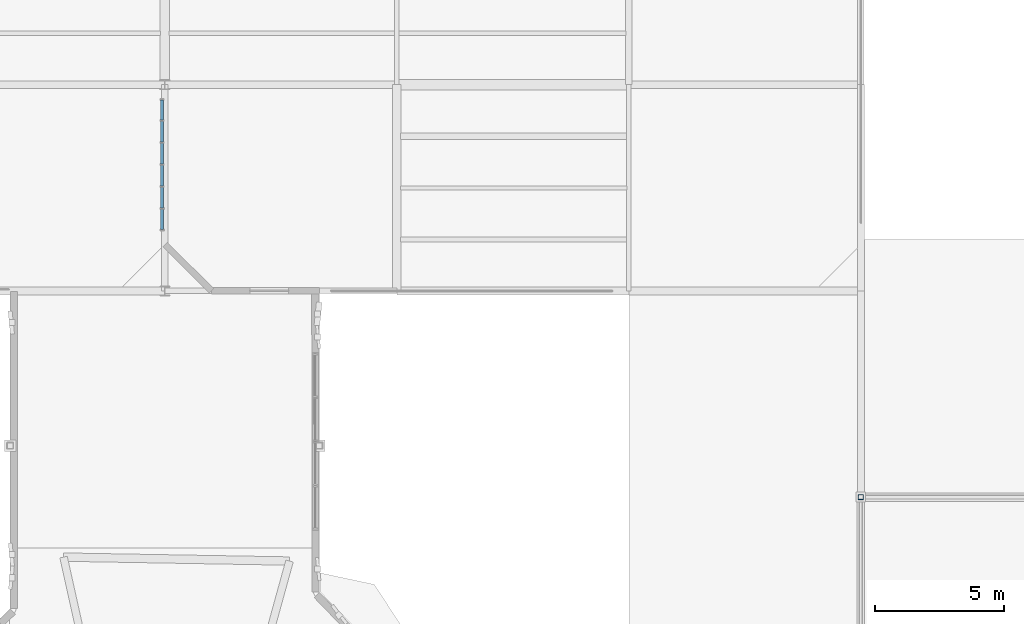
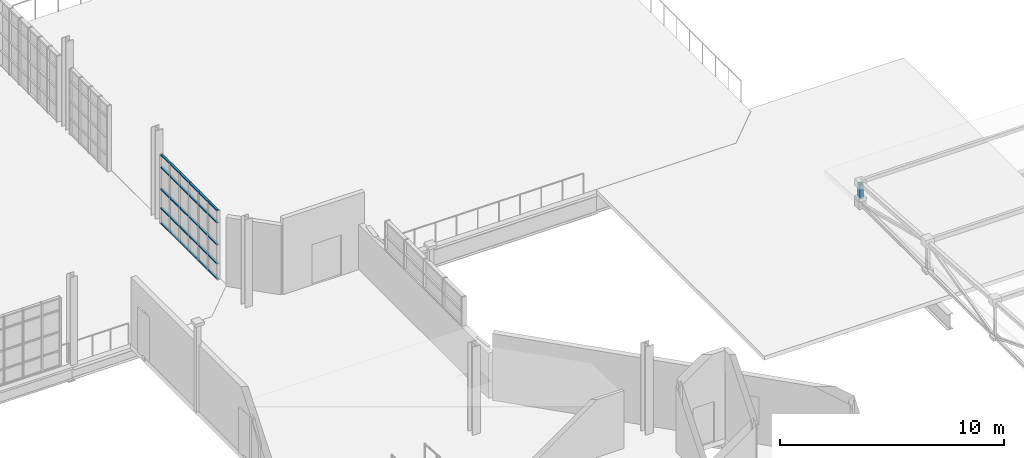
# One storey, part 61 of 85: 31 members, 1 element without a shape of its own.
"""IFC4 building model written with IfcOpenShell, lengths in metres."""

import ifcopenshell
import ifcopenshell.guid

model = None  # the IFC model being written
_history = None  # IfcOwnerHistory: only IFC2X3 demands one
_inside = {}  # id of a spatial element -> (the spatial element, [elements in it])
_under = {}  # id of a project, library or spatial element -> (it, [spatial elements below it])
_declared = {}  # id of a project -> (the project, [libraries it declares])
_typed = {}  # id of a type object -> (the type object, [elements of that type])
_made_of = {}  # id of a material, layer set ... -> (it, [elements and type objects made of it])


def new_model(schema):
    """Start an empty IFC model of exactly this schema.

    Asked for "IFC4X3", IfcOpenShell would pick the latest addendum, in which some entities
    have other attributes; the version numbers below select the first issue.
    IFC2X3 requires an IfcOwnerHistory on every rooted entity: one is made here for all.
    """
    global model, _history
    if schema == "IFC4X3":
        model = ifcopenshell.file(schema_version=(4, 3, 0, 0))
    else:
        model = ifcopenshell.file(schema=schema)
    _inside.clear()
    _under.clear()
    _declared.clear()
    _typed.clear()
    _made_of.clear()
    _history = None
    if model.schema == "IFC2X3":
        org = make("IfcOrganization", Name="unknown")
        user = make(
            "IfcPersonAndOrganization",
            ThePerson=make("IfcPerson", FamilyName="unknown"),
            TheOrganization=org,
        )
        app = make(
            "IfcApplication",
            ApplicationDeveloper=org,
            Version="unknown",
            ApplicationFullName="unknown",
            ApplicationIdentifier="unknown",
        )
        _history = make(
            "IfcOwnerHistory",
            OwningUser=user,
            OwningApplication=app,
            ChangeAction="ADDED",
            CreationDate=0,
        )
    return model


def make(cls, **values):
    """One entity of the class cls with the attributes given. An attribute that is None is left unset."""
    return model.create_entity(
        cls, **{name: value for name, value in values.items() if value is not None}
    )


def rooted(cls, **values):
    """An entity with a GlobalId (a new one), such as an element, a storey or a relation."""
    return make(cls, GlobalId=ifcopenshell.guid.new(), OwnerHistory=_history, **values)


def si_unit(unit_type, name, prefix=None):
    """IfcSIUnit, for example si_unit("LENGTHUNIT", "METRE", prefix="MILLI")."""
    return make("IfcSIUnit", UnitType=unit_type, Prefix=prefix, Name=name)


def assignment(units):
    """IfcUnitAssignment: the units of a project."""
    return None if units is None else make("IfcUnitAssignment", Units=units)


def point(xyz):
    """IfcCartesianPoint."""
    return None if xyz is None else make("IfcCartesianPoint", Coordinates=xyz)


def direction(xyz):
    """IfcDirection."""
    return None if xyz is None else make("IfcDirection", DirectionRatios=xyz)


def frame(location, z_axis=None, x_axis=None):
    """IfcAxis2Placement3D, a coordinate frame: its origin and axes. An axis left out is left unset."""
    return make(
        "IfcAxis2Placement3D",
        Location=point(location),
        Axis=direction(z_axis),
        RefDirection=direction(x_axis),
    )


def frame_2d(location, x_axis=None):
    """IfcAxis2Placement2D, a coordinate frame in the plane: its origin and x axis."""
    return make(
        "IfcAxis2Placement2D", Location=point(location), RefDirection=direction(x_axis)
    )


def origin():
    """The frame at (0, 0, 0) with its axes left unset."""
    return frame((0.0, 0.0, 0.0))


def origin_2d():
    """The frame at (0, 0) in the plane with its x axis left unset."""
    return frame_2d((0.0, 0.0))


def place(relative_to, where):
    """IfcLocalPlacement: puts the frame where relative to a parent placement (None: the world)."""
    return make(
        "IfcLocalPlacement", PlacementRelTo=relative_to, RelativePlacement=where
    )


def context(
    kind, dimensions, precision=None, world=None, true_north=None, identifier=None
):
    """IfcGeometricRepresentationContext, for example the 3D "Model" context."""
    return make(
        "IfcGeometricRepresentationContext",
        ContextIdentifier=identifier,
        ContextType=kind,
        CoordinateSpaceDimension=dimensions,
        Precision=precision,
        WorldCoordinateSystem=world,
        TrueNorth=true_north,
    )


def subcontext(parent, identifier, kind, view, scale=None):
    """IfcGeometricRepresentationSubContext, for example "Body" below "Model"."""
    return make(
        "IfcGeometricRepresentationSubContext",
        ContextIdentifier=identifier,
        ContextType=kind,
        ParentContext=parent,
        TargetScale=scale,
        TargetView=view,
    )


def project(units=None, contexts=None):
    """IfcProject with its units and contexts."""
    return rooted(
        "IfcProject",
        Name="project",
        RepresentationContexts=contexts,
        UnitsInContext=assignment(units),
    )


def spatial(cls, under=None, at=None, **own):
    """A site, building, storey or space (cls), placed at a placement, below another one or the project."""
    s = rooted(cls, ObjectPlacement=at, **own)
    if under is not None:
        _under.setdefault(under.id(), (under, []))[1].append(s)
    return s


def profile(cls, at=None, kind="AREA", **sizes):
    """A parametric profile (cls). Its sizes go by their IFC names, for example OverallWidth=200.0."""
    return make(cls, ProfileType=kind, Position=at, **sizes)


def hollow_rectangle(**sizes):
    """IfcRectangleHollowProfileDef."""
    return profile("IfcRectangleHollowProfileDef", **sizes)


def extrude(swept, where, along, depth):
    """IfcExtrudedAreaSolid: the profile swept, set in the frame where, extruded along a direction by depth."""
    return make(
        "IfcExtrudedAreaSolid",
        SweptArea=swept,
        Position=where,
        ExtrudedDirection=direction(along),
        Depth=depth,
    )


def shape(context_of_items, identifier, shape_type, items):
    """IfcShapeRepresentation: the items that make up one representation, for example the "Body"."""
    return make(
        "IfcShapeRepresentation",
        ContextOfItems=context_of_items,
        RepresentationIdentifier=identifier,
        RepresentationType=shape_type,
        Items=items,
    )


def material(Name=None, Category=None):
    """IfcMaterial."""
    return make("IfcMaterial", Name=Name, Category=Category)


def layer(
    of_material, thickness, ventilated=None, Name=None, Category=None, Priority=None
):
    """IfcMaterialLayer: one layer of a wall or slab, of a material (None: an air gap)."""
    return make(
        "IfcMaterialLayer",
        Material=of_material,
        LayerThickness=thickness,
        IsVentilated=ventilated,
        Name=Name,
        Category=Category,
        Priority=Priority,
    )


def layer_set(layers, Name=None):
    """IfcMaterialLayerSet."""
    return make("IfcMaterialLayerSet", MaterialLayers=layers, LayerSetName=Name)


def material_profile(
    of_material, cross_section, Name=None, Category=None, Priority=None
):
    """IfcMaterialProfile: a cross section and its material."""
    return make(
        "IfcMaterialProfile",
        Name=Name,
        Material=of_material,
        Profile=cross_section,
        Priority=Priority,
        Category=Category,
    )


def profile_set(profiles, Name=None, composite=None):
    """IfcMaterialProfileSet."""
    return make(
        "IfcMaterialProfileSet",
        Name=Name,
        MaterialProfiles=profiles,
        CompositeProfile=composite,
    )


def made_of(thing, what):
    """Note that an element or type object is made of a material, layer set ...; save() writes the relation."""
    if what is not None:
        _made_of.setdefault(what.id(), (what, []))[1].append(thing)
    return thing


def type_object(cls, material=None, **own):
    """A type object (cls), such as IfcWallType, which elements share."""
    return made_of(rooted(cls, **own), material)


def element(
    cls,
    number,
    at=None,
    inside=None,
    cuts=None,
    type_object=None,
    material=None,
    context=None,
    identifier="Body",
    shape_type=None,
    held_by="IfcProductDefinitionShape",
    body=None,
    shapes=None,
    **own,
):
    """One element of the class cls, such as IfcWall. Its Tag is "e" and its number.

    at: its placement. inside: the storey or other place that contains it. cuts: it is an
    opening in that element (IfcRelVoidsElement). A single representation is given by context,
    identifier, shape_type and body (its items); several are given by shapes. held_by: the class
    of the entity that holds the representations. save() writes the other relations.
    """
    e = rooted(cls, Tag="e%d" % number, ObjectPlacement=at, **own)
    if body is not None:
        shapes = [shape(context, identifier, shape_type, body)]
    if shapes is not None:
        e.Representation = make(held_by, Representations=shapes)
    if inside is not None:
        _inside.setdefault(inside.id(), (inside, []))[1].append(e)
    if cuts is not None:
        rooted(
            "IfcRelVoidsElement", RelatingBuildingElement=cuts, RelatedOpeningElement=e
        )
    if type_object is not None:
        _typed.setdefault(type_object.id(), (type_object, []))[1].append(e)
    return made_of(e, material)


def aggregate(whole, parts):
    """IfcRelAggregates: a whole, such as a stair, and the parts it consists of."""
    return rooted("IfcRelAggregates", RelatingObject=whole, RelatedObjects=parts)


def save(model, path):
    """Write the relations noted so far, then the file.

    IfcRelAggregates (storeys below a building ...), IfcRelContainedInSpatialStructure (elements
    in a storey), IfcRelDefinesByType, IfcRelAssociatesMaterial and IfcRelDeclares: one each for
    every whole, place, type object, material and project.
    """
    for whole, parts in _under.values():
        aggregate(whole, parts)
    for where, things in _inside.values():
        rooted(
            "IfcRelContainedInSpatialStructure",
            RelatedElements=things,
            RelatingStructure=where,
        )
    for kind, things in _typed.values():
        rooted("IfcRelDefinesByType", RelatedObjects=things, RelatingType=kind)
    for what, things in _made_of.values():
        rooted("IfcRelAssociatesMaterial", RelatedObjects=things, RelatingMaterial=what)
    for by, libraries in _declared.values():
        rooted("IfcRelDeclares", RelatingContext=by, RelatedDefinitions=libraries)
    model.write(path)


model = new_model("IFC4")

# Units and contexts
model_context = context("Model", 3, precision=1e-05, world=origin(), true_north=direction((0.0, 1.0)))
body_context = subcontext(model_context, "Body", "Model", "MODEL_VIEW")
ifc_project = project(units=[si_unit("LENGTHUNIT", "METRE"), si_unit("AREAUNIT", "SQUARE_METRE"), si_unit("VOLUMEUNIT", "CUBIC_METRE"), si_unit("PLANEANGLEUNIT", "RADIAN"), si_unit("MASSUNIT", "GRAM", prefix="KILO"), si_unit("THERMODYNAMICTEMPERATUREUNIT", "KELVIN"), si_unit("POWERUNIT", "WATT")], contexts=[model_context])

# Site, building, storey
site_placement = place(None, origin())
site = spatial("IfcSite", under=ifc_project, at=site_placement, CompositionType="ELEMENT")
building_placement = place(site_placement, origin())
building = spatial("IfcBuilding", under=site, at=building_placement, Name="Zelmaris Science Centre", CompositionType="ELEMENT")
storey_placement = place(building_placement, frame((0.0, 0.0, 20.39990234375)))
storey = spatial("IfcBuildingStorey", under=building, at=storey_placement, Name="L04", CompositionType="ELEMENT", Elevation=20.39990234375)

# Curtain wall, members
ifc_material_1 = material(Name="Anodised architectural aluminium 6063-T6", Category="aluminium")
ifc_layer = layer(ifc_material_1, 0.219970703125, Name="Anodised architectural aluminium 6063-T6")
ifc_layer_set = layer_set([ifc_layer], Name="Anodised architectural aluminium 6063-T6")
curtain_wall_type = type_object("IfcCurtainWallType", Name="Curtain Wall CW-04", PredefinedType="USERDEFINED", material=ifc_layer_set)
curtain_wall_placement = place(storey_placement, origin())
curtain_wall = element("IfcCurtainWall", 1, at=curtain_wall_placement, inside=storey, type_object=curtain_wall_type, Name="L04 Unitised curtain wall 348", ObjectType="GLAZED CURTAIN WALL", PredefinedType="USERDEFINED")
ifc_material_profile_1 = material_profile(ifc_material_1, hollow_rectangle(XDim=0.06005859375, YDim=0.110107421875, WallThickness=0.0029296875, at=origin_2d()), Name="ALU-TRN-60X110")
ifc_profile_set_1 = profile_set([ifc_material_profile_1], Name="Anodised architectural aluminium 6063-T6")
member_type_1 = type_object("IfcMemberType", Name="ALU-TRN-60X110", PredefinedType="USERDEFINED", material=ifc_profile_set_1)
member_1_placement = place(storey_placement, frame((80.891357421875, 71.407958984375, 0.010986328125), z_axis=(0.000629326496, -0.999999801974, 0.0), x_axis=(0.0, 0.0, 1.0)))
member_1 = element("IfcMember", 2, at=member_1_placement, type_object=member_type_1, Name="CW-04 transom 1.1", ObjectType="TRANSOM", PredefinedType="USERDEFINED", context=body_context, shape_type="SweptSolid", body=[
    extrude(hollow_rectangle(XDim=0.06005859375, YDim=0.110107421875, WallThickness=0.0029296875, at=origin_2d()), origin(), (0.0, 0.0, 1.0), 0.77587890625),
])
member_2_placement = place(storey_placement, frame((80.891357421875, 71.407958984375, 0.835205078125), z_axis=(0.000629326496, -0.999999801974, 0.0), x_axis=(0.0, 0.0, 1.0)))
member_2 = element("IfcMember", 3, at=member_2_placement, type_object=member_type_1, Name="CW-04 transom 1.2", ObjectType="TRANSOM", PredefinedType="USERDEFINED", context=body_context, shape_type="SweptSolid", body=[
    extrude(hollow_rectangle(XDim=0.06005859375, YDim=0.110107421875, WallThickness=0.0029296875, at=origin_2d()), origin(), (0.0, 0.0, 1.0), 0.77587890625),
])
member_3_placement = place(storey_placement, frame((80.891357421875, 71.407958984375, 1.873046875), z_axis=(0.000629326496, -0.999999801974, 0.0), x_axis=(0.0, 0.0, 1.0)))
member_3 = element("IfcMember", 4, at=member_3_placement, type_object=member_type_1, Name="CW-04 transom 1.3", ObjectType="TRANSOM", PredefinedType="USERDEFINED", context=body_context, shape_type="SweptSolid", body=[
    extrude(hollow_rectangle(XDim=0.06005859375, YDim=0.110107421875, WallThickness=0.0029296875, at=origin_2d()), origin(), (0.0, 0.0, 1.0), 0.77587890625),
])
member_4_placement = place(storey_placement, frame((80.891357421875, 71.407958984375, 3.06103515625), z_axis=(0.000629326496, -0.999999801974, 0.0), x_axis=(0.0, 0.0, 1.0)))
member_4 = element("IfcMember", 5, at=member_4_placement, type_object=member_type_1, Name="CW-04 transom 1.4", ObjectType="TRANSOM", PredefinedType="USERDEFINED", context=body_context, shape_type="SweptSolid", body=[
    extrude(hollow_rectangle(XDim=0.06005859375, YDim=0.110107421875, WallThickness=0.0029296875, at=origin_2d()), origin(), (0.0, 0.0, 1.0), 0.77587890625),
])
member_5_placement = place(storey_placement, frame((80.891357421875, 71.407958984375, 3.735107421875), z_axis=(0.000629326496, -0.999999801974, 0.0), x_axis=(0.0, 0.0, 1.0)))
member_5 = element("IfcMember", 6, at=member_5_placement, type_object=member_type_1, Name="CW-04 transom 1.5", ObjectType="TRANSOM", PredefinedType="USERDEFINED", context=body_context, shape_type="SweptSolid", body=[
    extrude(hollow_rectangle(XDim=0.06005859375, YDim=0.110107421875, WallThickness=0.0029296875, at=origin_2d()), origin(), (0.0, 0.0, 1.0), 0.77587890625),
])
member_6_placement = place(storey_placement, frame((80.89208984375, 70.580078125, 0.010986328125), z_axis=(0.000608827893, -0.999999814664, 0.0), x_axis=(0.0, 0.0, 1.0)))
member_6 = element("IfcMember", 7, at=member_6_placement, type_object=member_type_1, Name="CW-04 transom 2.1", ObjectType="TRANSOM", PredefinedType="USERDEFINED", context=body_context, shape_type="SweptSolid", body=[
    extrude(hollow_rectangle(XDim=0.06005859375, YDim=0.110107421875, WallThickness=0.0029296875, at=origin_2d()), origin(), (0.0, 0.0, 1.0), 0.802001953125),
])
member_7_placement = place(storey_placement, frame((80.89208984375, 70.580078125, 0.835205078125), z_axis=(0.000608827893, -0.999999814664, 0.0), x_axis=(0.0, 0.0, 1.0)))
member_7 = element("IfcMember", 8, at=member_7_placement, type_object=member_type_1, Name="CW-04 transom 2.2", ObjectType="TRANSOM", PredefinedType="USERDEFINED", context=body_context, shape_type="SweptSolid", body=[
    extrude(hollow_rectangle(XDim=0.06005859375, YDim=0.110107421875, WallThickness=0.0029296875, at=origin_2d()), origin(), (0.0, 0.0, 1.0), 0.802001953125),
])
member_8_placement = place(storey_placement, frame((80.89208984375, 70.580078125, 1.873046875), z_axis=(0.000608827893, -0.999999814664, 0.0), x_axis=(0.0, 0.0, 1.0)))
member_8 = element("IfcMember", 9, at=member_8_placement, type_object=member_type_1, Name="CW-04 transom 2.3", ObjectType="TRANSOM", PredefinedType="USERDEFINED", context=body_context, shape_type="SweptSolid", body=[
    extrude(hollow_rectangle(XDim=0.06005859375, YDim=0.110107421875, WallThickness=0.0029296875, at=origin_2d()), origin(), (0.0, 0.0, 1.0), 0.802001953125),
])
member_9_placement = place(storey_placement, frame((80.89208984375, 70.580078125, 3.06103515625), z_axis=(0.000608827893, -0.999999814664, 0.0), x_axis=(0.0, 0.0, 1.0)))
member_9 = element("IfcMember", 10, at=member_9_placement, type_object=member_type_1, Name="CW-04 transom 2.4", ObjectType="TRANSOM", PredefinedType="USERDEFINED", context=body_context, shape_type="SweptSolid", body=[
    extrude(hollow_rectangle(XDim=0.06005859375, YDim=0.110107421875, WallThickness=0.0029296875, at=origin_2d()), origin(), (0.0, 0.0, 1.0), 0.802001953125),
])
member_10_placement = place(storey_placement, frame((80.89208984375, 70.580078125, 3.735107421875), z_axis=(0.000608827893, -0.999999814664, 0.0), x_axis=(0.0, 0.0, 1.0)))
member_10 = element("IfcMember", 11, at=member_10_placement, type_object=member_type_1, Name="CW-04 transom 2.5", ObjectType="TRANSOM", PredefinedType="USERDEFINED", context=body_context, shape_type="SweptSolid", body=[
    extrude(hollow_rectangle(XDim=0.06005859375, YDim=0.110107421875, WallThickness=0.0029296875, at=origin_2d()), origin(), (0.0, 0.0, 1.0), 0.802001953125),
])
member_11_placement = place(storey_placement, frame((80.892578125, 69.72607421875, 0.010986328125), z_axis=(0.000913241628, -0.999999582995, 0.0), x_axis=(0.0, 0.0, 1.0)))
member_11 = element("IfcMember", 12, at=member_11_placement, type_object=member_type_1, Name="CW-04 transom 3.1", ObjectType="TRANSOM", PredefinedType="USERDEFINED", context=body_context, shape_type="SweptSolid", body=[
    extrude(hollow_rectangle(XDim=0.06005859375, YDim=0.110107421875, WallThickness=0.0029296875, at=origin_2d()), origin(), (0.0, 0.0, 1.0), 0.802001953125),
])
member_12_placement = place(storey_placement, frame((80.892578125, 69.72607421875, 0.835205078125), z_axis=(0.000913241628, -0.999999582995, 0.0), x_axis=(0.0, 0.0, 1.0)))
member_12 = element("IfcMember", 13, at=member_12_placement, type_object=member_type_1, Name="CW-04 transom 3.2", ObjectType="TRANSOM", PredefinedType="USERDEFINED", context=body_context, shape_type="SweptSolid", body=[
    extrude(hollow_rectangle(XDim=0.06005859375, YDim=0.110107421875, WallThickness=0.0029296875, at=origin_2d()), origin(), (0.0, 0.0, 1.0), 0.802001953125),
])
member_13_placement = place(storey_placement, frame((80.892578125, 69.72607421875, 1.873046875), z_axis=(0.000913241628, -0.999999582995, 0.0), x_axis=(0.0, 0.0, 1.0)))
member_13 = element("IfcMember", 14, at=member_13_placement, type_object=member_type_1, Name="CW-04 transom 3.3", ObjectType="TRANSOM", PredefinedType="USERDEFINED", context=body_context, shape_type="SweptSolid", body=[
    extrude(hollow_rectangle(XDim=0.06005859375, YDim=0.110107421875, WallThickness=0.0029296875, at=origin_2d()), origin(), (0.0, 0.0, 1.0), 0.802001953125),
])
member_14_placement = place(storey_placement, frame((80.892578125, 69.72607421875, 3.06103515625), z_axis=(0.000913241628, -0.999999582995, 0.0), x_axis=(0.0, 0.0, 1.0)))
member_14 = element("IfcMember", 15, at=member_14_placement, type_object=member_type_1, Name="CW-04 transom 3.4", ObjectType="TRANSOM", PredefinedType="USERDEFINED", context=body_context, shape_type="SweptSolid", body=[
    extrude(hollow_rectangle(XDim=0.06005859375, YDim=0.110107421875, WallThickness=0.0029296875, at=origin_2d()), origin(), (0.0, 0.0, 1.0), 0.802001953125),
])
member_15_placement = place(storey_placement, frame((80.892578125, 69.72607421875, 3.735107421875), z_axis=(0.000913241628, -0.999999582995, 0.0), x_axis=(0.0, 0.0, 1.0)))
member_15 = element("IfcMember", 16, at=member_15_placement, type_object=member_type_1, Name="CW-04 transom 3.5", ObjectType="TRANSOM", PredefinedType="USERDEFINED", context=body_context, shape_type="SweptSolid", body=[
    extrude(hollow_rectangle(XDim=0.06005859375, YDim=0.110107421875, WallThickness=0.0029296875, at=origin_2d()), origin(), (0.0, 0.0, 1.0), 0.802001953125),
])
member_16_placement = place(storey_placement, frame((80.893310546875, 68.8720703125, 0.010986328125), z_axis=(0.000913519716, -0.999999582741, 0.0), x_axis=(0.0, 0.0, 1.0)))
member_16 = element("IfcMember", 17, at=member_16_placement, type_object=member_type_1, Name="CW-04 transom 4.1", ObjectType="TRANSOM", PredefinedType="USERDEFINED", context=body_context, shape_type="SweptSolid", body=[
    extrude(hollow_rectangle(XDim=0.06005859375, YDim=0.110107421875, WallThickness=0.0029296875, at=origin_2d()), origin(), (0.0, 0.0, 1.0), 0.8017578125),
])
member_17_placement = place(storey_placement, frame((80.893310546875, 68.8720703125, 0.835205078125), z_axis=(0.000913519716, -0.999999582741, 0.0), x_axis=(0.0, 0.0, 1.0)))
member_17 = element("IfcMember", 18, at=member_17_placement, type_object=member_type_1, Name="CW-04 transom 4.2", ObjectType="TRANSOM", PredefinedType="USERDEFINED", context=body_context, shape_type="SweptSolid", body=[
    extrude(hollow_rectangle(XDim=0.06005859375, YDim=0.110107421875, WallThickness=0.0029296875, at=origin_2d()), origin(), (0.0, 0.0, 1.0), 0.8017578125),
])
member_18_placement = place(storey_placement, frame((80.893310546875, 68.8720703125, 1.873046875), z_axis=(0.000913519716, -0.999999582741, 0.0), x_axis=(0.0, 0.0, 1.0)))
member_18 = element("IfcMember", 19, at=member_18_placement, type_object=member_type_1, Name="CW-04 transom 4.3", ObjectType="TRANSOM", PredefinedType="USERDEFINED", context=body_context, shape_type="SweptSolid", body=[
    extrude(hollow_rectangle(XDim=0.06005859375, YDim=0.110107421875, WallThickness=0.0029296875, at=origin_2d()), origin(), (0.0, 0.0, 1.0), 0.8017578125),
])
member_19_placement = place(storey_placement, frame((80.893310546875, 68.8720703125, 3.06103515625), z_axis=(0.000913519716, -0.999999582741, 0.0), x_axis=(0.0, 0.0, 1.0)))
member_19 = element("IfcMember", 20, at=member_19_placement, type_object=member_type_1, Name="CW-04 transom 4.4", ObjectType="TRANSOM", PredefinedType="USERDEFINED", context=body_context, shape_type="SweptSolid", body=[
    extrude(hollow_rectangle(XDim=0.06005859375, YDim=0.110107421875, WallThickness=0.0029296875, at=origin_2d()), origin(), (0.0, 0.0, 1.0), 0.8017578125),
])
member_20_placement = place(storey_placement, frame((80.893310546875, 68.8720703125, 3.735107421875), z_axis=(0.000913519716, -0.999999582741, 0.0), x_axis=(0.0, 0.0, 1.0)))
member_20 = element("IfcMember", 21, at=member_20_placement, type_object=member_type_1, Name="CW-04 transom 4.5", ObjectType="TRANSOM", PredefinedType="USERDEFINED", context=body_context, shape_type="SweptSolid", body=[
    extrude(hollow_rectangle(XDim=0.06005859375, YDim=0.110107421875, WallThickness=0.0029296875, at=origin_2d()), origin(), (0.0, 0.0, 1.0), 0.8017578125),
])
member_21_placement = place(storey_placement, frame((80.89404296875, 68.018310546875, 0.010986328125), z_axis=(0.000608827893, -0.999999814664, 0.0), x_axis=(0.0, 0.0, 1.0)))
member_21 = element("IfcMember", 22, at=member_21_placement, type_object=member_type_1, Name="CW-04 transom 5.1", ObjectType="TRANSOM", PredefinedType="USERDEFINED", context=body_context, shape_type="SweptSolid", body=[
    extrude(hollow_rectangle(XDim=0.06005859375, YDim=0.110107421875, WallThickness=0.0029296875, at=origin_2d()), origin(), (0.0, 0.0, 1.0), 0.802001953125),
])
member_22_placement = place(storey_placement, frame((80.89404296875, 68.018310546875, 0.835205078125), z_axis=(0.000608827893, -0.999999814664, 0.0), x_axis=(0.0, 0.0, 1.0)))
member_22 = element("IfcMember", 23, at=member_22_placement, type_object=member_type_1, Name="CW-04 transom 5.2", ObjectType="TRANSOM", PredefinedType="USERDEFINED", context=body_context, shape_type="SweptSolid", body=[
    extrude(hollow_rectangle(XDim=0.06005859375, YDim=0.110107421875, WallThickness=0.0029296875, at=origin_2d()), origin(), (0.0, 0.0, 1.0), 0.802001953125),
])
member_23_placement = place(storey_placement, frame((80.89404296875, 68.018310546875, 1.873046875), z_axis=(0.000608827893, -0.999999814664, 0.0), x_axis=(0.0, 0.0, 1.0)))
member_23 = element("IfcMember", 24, at=member_23_placement, type_object=member_type_1, Name="CW-04 transom 5.3", ObjectType="TRANSOM", PredefinedType="USERDEFINED", context=body_context, shape_type="SweptSolid", body=[
    extrude(hollow_rectangle(XDim=0.06005859375, YDim=0.110107421875, WallThickness=0.0029296875, at=origin_2d()), origin(), (0.0, 0.0, 1.0), 0.802001953125),
])
member_24_placement = place(storey_placement, frame((80.89404296875, 68.018310546875, 3.06103515625), z_axis=(0.000608827893, -0.999999814664, 0.0), x_axis=(0.0, 0.0, 1.0)))
member_24 = element("IfcMember", 25, at=member_24_placement, type_object=member_type_1, Name="CW-04 transom 5.4", ObjectType="TRANSOM", PredefinedType="USERDEFINED", context=body_context, shape_type="SweptSolid", body=[
    extrude(hollow_rectangle(XDim=0.06005859375, YDim=0.110107421875, WallThickness=0.0029296875, at=origin_2d()), origin(), (0.0, 0.0, 1.0), 0.802001953125),
])
member_25_placement = place(storey_placement, frame((80.89404296875, 68.018310546875, 3.735107421875), z_axis=(0.000608827893, -0.999999814664, 0.0), x_axis=(0.0, 0.0, 1.0)))
member_25 = element("IfcMember", 26, at=member_25_placement, type_object=member_type_1, Name="CW-04 transom 5.5", ObjectType="TRANSOM", PredefinedType="USERDEFINED", context=body_context, shape_type="SweptSolid", body=[
    extrude(hollow_rectangle(XDim=0.06005859375, YDim=0.110107421875, WallThickness=0.0029296875, at=origin_2d()), origin(), (0.0, 0.0, 1.0), 0.802001953125),
])
member_26_placement = place(storey_placement, frame((80.894775390625, 67.164306640625, 0.010986328125), z_axis=(0.000629326496, -0.999999801974, 0.0), x_axis=(0.0, 0.0, 1.0)))
member_26 = element("IfcMember", 27, at=member_26_placement, type_object=member_type_1, Name="CW-04 transom 6.1", ObjectType="TRANSOM", PredefinedType="USERDEFINED", context=body_context, shape_type="SweptSolid", body=[
    extrude(hollow_rectangle(XDim=0.06005859375, YDim=0.110107421875, WallThickness=0.0029296875, at=origin_2d()), origin(), (0.0, 0.0, 1.0), 0.77587890625),
])
member_27_placement = place(storey_placement, frame((80.894775390625, 67.164306640625, 0.835205078125), z_axis=(0.000629326496, -0.999999801974, 0.0), x_axis=(0.0, 0.0, 1.0)))
member_27 = element("IfcMember", 28, at=member_27_placement, type_object=member_type_1, Name="CW-04 transom 6.2", ObjectType="TRANSOM", PredefinedType="USERDEFINED", context=body_context, shape_type="SweptSolid", body=[
    extrude(hollow_rectangle(XDim=0.06005859375, YDim=0.110107421875, WallThickness=0.0029296875, at=origin_2d()), origin(), (0.0, 0.0, 1.0), 0.77587890625),
])
member_28_placement = place(storey_placement, frame((80.894775390625, 67.164306640625, 1.873046875), z_axis=(0.000629326496, -0.999999801974, 0.0), x_axis=(0.0, 0.0, 1.0)))
member_28 = element("IfcMember", 29, at=member_28_placement, type_object=member_type_1, Name="CW-04 transom 6.3", ObjectType="TRANSOM", PredefinedType="USERDEFINED", context=body_context, shape_type="SweptSolid", body=[
    extrude(hollow_rectangle(XDim=0.06005859375, YDim=0.110107421875, WallThickness=0.0029296875, at=origin_2d()), origin(), (0.0, 0.0, 1.0), 0.77587890625),
])
member_29_placement = place(storey_placement, frame((80.894775390625, 67.164306640625, 3.06103515625), z_axis=(0.000629326496, -0.999999801974, 0.0), x_axis=(0.0, 0.0, 1.0)))
member_29 = element("IfcMember", 30, at=member_29_placement, type_object=member_type_1, Name="CW-04 transom 6.4", ObjectType="TRANSOM", PredefinedType="USERDEFINED", context=body_context, shape_type="SweptSolid", body=[
    extrude(hollow_rectangle(XDim=0.06005859375, YDim=0.110107421875, WallThickness=0.0029296875, at=origin_2d()), origin(), (0.0, 0.0, 1.0), 0.77587890625),
])
member_30_placement = place(storey_placement, frame((80.894775390625, 67.164306640625, 3.735107421875), z_axis=(0.000629326496, -0.999999801974, 0.0), x_axis=(0.0, 0.0, 1.0)))
member_30 = element("IfcMember", 31, at=member_30_placement, type_object=member_type_1, Name="CW-04 transom 6.5", ObjectType="TRANSOM", PredefinedType="USERDEFINED", context=body_context, shape_type="SweptSolid", body=[
    extrude(hollow_rectangle(XDim=0.06005859375, YDim=0.110107421875, WallThickness=0.0029296875, at=origin_2d()), origin(), (0.0, 0.0, 1.0), 0.77587890625),
])
aggregate(curtain_wall, [member_1, member_2, member_3, member_4, member_5, member_6, member_7, member_8, member_9, member_10, member_11, member_12, member_13, member_14, member_15, member_16, member_17, member_18, member_19, member_20, member_21, member_22, member_23, member_24, member_25, member_26, member_27, member_28, member_29, member_30])

# Member
ifc_material_2 = material(Name="Steel ASTM A500 Grade C", Category="steel")
ifc_material_profile_2 = material_profile(ifc_material_2, hollow_rectangle(XDim=0.203125, YDim=0.203125, WallThickness=0.01171875, InnerFilletRadius=0.01171875, OuterFilletRadius=0.023681640625, at=origin_2d()), Name="HSS203X203X13")
ifc_profile_set_2 = profile_set([ifc_material_profile_2], Name="Steel ASTM A500 Grade C")
member_type_2 = type_object("IfcMemberType", Name="Structural Brace BR-02 HSS203X203X13", PredefinedType="BRACE", material=ifc_profile_set_2)
member_31_placement = place(storey_placement, frame((108.0, 56.0, 1.25), z_axis=(0.0, 0.0, 1.0), x_axis=(1.0, 0.0, 0.0)))
element("IfcMember", 32, at=member_31_placement, inside=storey, type_object=member_type_2, Name="RF-V4 Roof truss 1 end post VN", PredefinedType="BRACE", context=body_context, shape_type="SweptSolid", body=[
    extrude(hollow_rectangle(XDim=0.203125, YDim=0.203125, WallThickness=0.01171875, InnerFilletRadius=0.01171875, OuterFilletRadius=0.023681640625, at=origin_2d()), origin(), (0.0, 0.0, 1.0), 0.7978515625),
])

save(model, "model.ifc")
